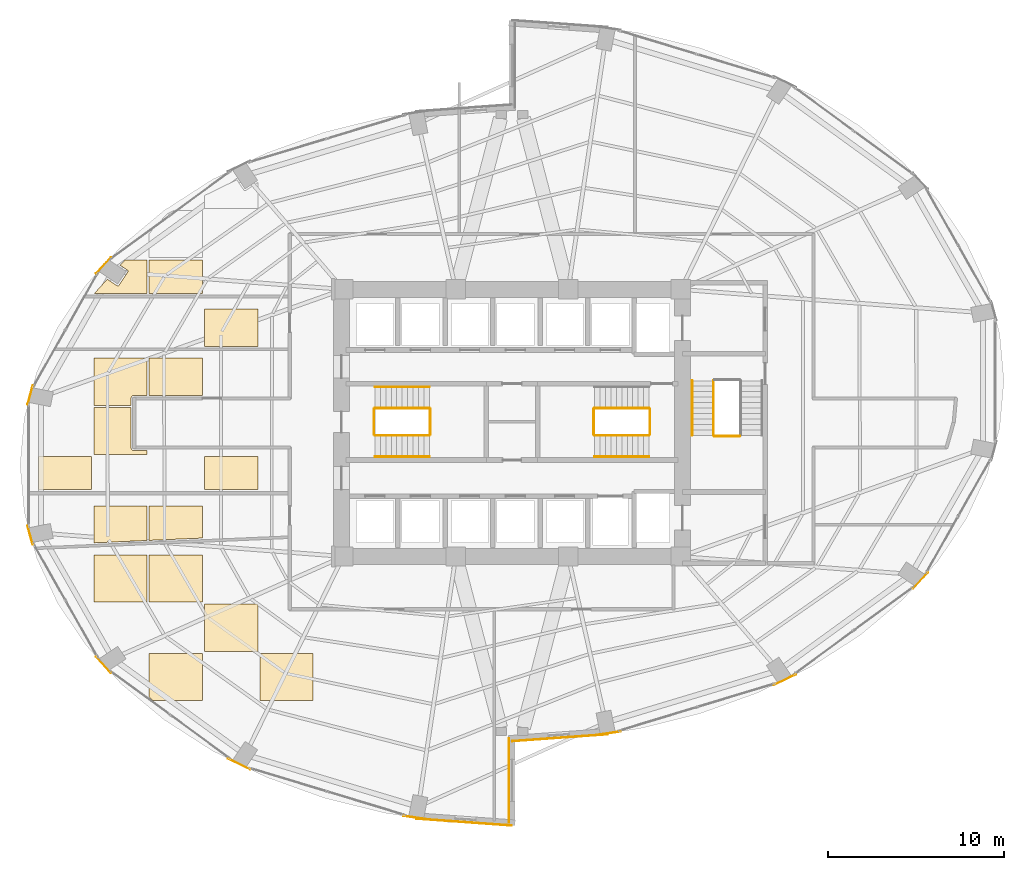
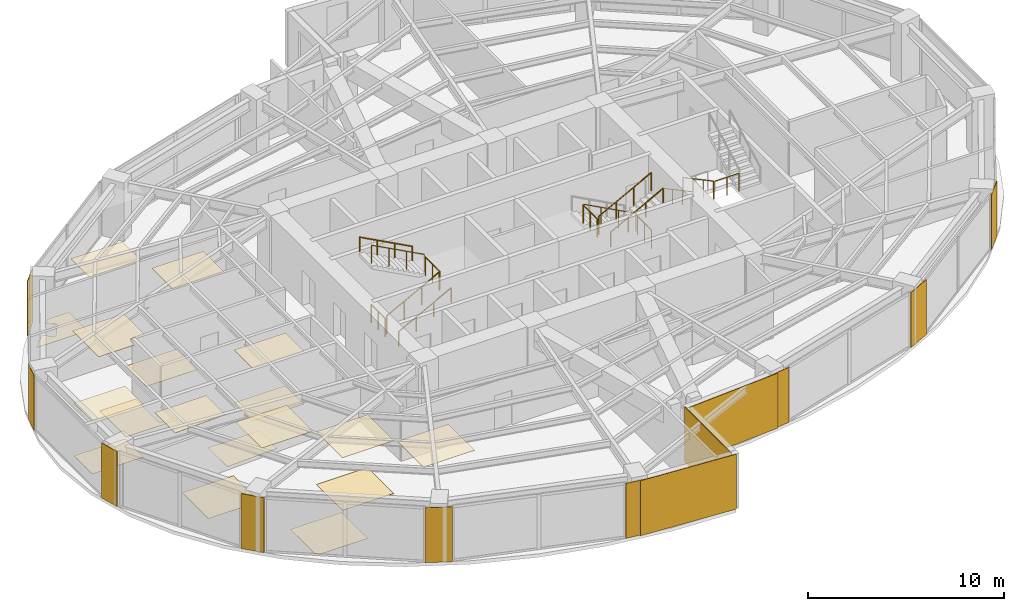
# One storey, part 23 of 24: 30 coverings, 14 railings.
"""IFC4 building model written with IfcOpenShell, lengths in metres."""

from ifc_helpers import new_model, si_unit, direction, frame, origin, origin_2d, place, context, subcontext, project, spatial, polyline, rectangle, circle, outline, extrude, material, layer, layer_set, type_object, element, save


model = new_model("IFC4")

# Units and contexts
model_context = context("Model", 3, precision=1e-05, world=origin(), true_north=direction((0.0, 1.0)))
body_context = subcontext(model_context, "Body", "Model", "MODEL_VIEW")
ifc_project = project(units=[si_unit("LENGTHUNIT", "METRE"), si_unit("AREAUNIT", "SQUARE_METRE"), si_unit("VOLUMEUNIT", "CUBIC_METRE"), si_unit("PLANEANGLEUNIT", "RADIAN"), si_unit("MASSUNIT", "GRAM", prefix="KILO")], contexts=[model_context])

# Site, building, storey
site_placement = place(None, origin())
site = spatial("IfcSite", under=ifc_project, at=site_placement, CompositionType="ELEMENT")
building_placement = place(site_placement, origin())
building = spatial("IfcBuilding", under=site, at=building_placement, Name="Lazwardi Medical Tower", CompositionType="ELEMENT")
storey_placement = place(building_placement, frame((0.0, 0.0, 36.14404296875)))
storey = spatial("IfcBuildingStorey", under=building, at=storey_placement, Name="L08", CompositionType="ELEMENT", Elevation=36.14404296875)

# Coverings
ifc_material_1 = material(Name="Anodised bronze aluminium cassette cladding", Category="aluminium")
ifc_layer_1 = layer(ifc_material_1, 0.030029296875)
ifc_layer_set_1 = layer_set([ifc_layer_1], Name="Anodised bronze aluminium cassette cladding")
covering_type_1 = type_object("IfcCoveringType", Name="COV-CLD-BRZ", PredefinedType="CLADDING", material=ifc_layer_set_1)
covering_1_placement = place(storey_placement, frame((41.454345703125, 10.33251953125, 0.0), z_axis=(0.0, 0.0, 1.0), x_axis=(0.98957259946, 0.144034962415, 0.0)))
element("IfcCovering", 1, at=covering_1_placement, inside=storey, type_object=covering_type_1, Name="L08 Mega-column bronze cassette cover M01", PredefinedType="CLADDING", context=body_context, shape_type="SweptSolid", body=[
    extrude(rectangle(XDim=1.49951171875, YDim=0.030029296875, at=origin_2d()), origin(), (0.0, 0.0, 1.0), 3.427978515625),
])
covering_2_placement = place(storey_placement, frame((51.532470703125, 13.3876953125, 0.0), z_axis=(0.0, 0.0, 1.0), x_axis=(0.898334492373, 0.439312121178, 0.0)))
element("IfcCovering", 2, at=covering_2_placement, inside=storey, type_object=covering_type_1, Name="L08 Mega-column bronze cassette cover M02", PredefinedType="CLADDING", context=body_context, shape_type="SweptSolid", body=[
    extrude(rectangle(XDim=1.400390625, YDim=0.030029296875, at=origin_2d()), origin(), (0.0, 0.0, 1.0), 3.427978515625),
])
for number, where, z_axis, x_axis, name in (
    (3, (59.24609375, 19.03271484375, 0.0), (0.0, 0.0, 1.0), (0.674252120961, 0.738501237223, 0.0), "L08 Mega-column bronze cassette cover M03"),
    (4, (12.75390625, 36.96728515625, 0.0), (0.0, 0.0, 1.0), (-0.674252120961, -0.738501237223, 0.0), "L08 Mega-column bronze cassette cover M11"),
):
    element("IfcCovering", number, at=place(storey_placement, frame(where, z_axis=z_axis, x_axis=x_axis)), inside=storey, type_object=covering_type_1, Name=name, PredefinedType="CLADDING", context=body_context, shape_type="SweptSolid", body=[
        extrude(rectangle(XDim=1.24658203125, YDim=0.030029296875, at=origin_2d()), origin(), (0.0, 0.0, 1.0), 3.427978515625),
    ])
for number, where, z_axis, x_axis, name in (
    (5, (8.579345703125, 29.591796875, 0.0), (0.0, 0.0, 1.0), (-0.262283496593, -0.964990863902, 0.0), "L08 Mega-column bronze cassette cover M12"),
    (6, (8.579345703125, 21.6083984375, 0.0), (0.0, 0.0, 1.0), (0.262283496593, -0.964990863902, 0.0), "L08 Mega-column bronze cassette cover M13"),
):
    element("IfcCovering", number, at=place(storey_placement, frame(where, z_axis=z_axis, x_axis=x_axis)), inside=storey, type_object=covering_type_1, Name=name, PredefinedType="CLADDING", context=body_context, shape_type="SweptSolid", body=[
        extrude(rectangle(XDim=1.12548828125, YDim=0.030029296875, at=origin_2d()), origin(), (0.0, 0.0, 1.0), 3.427978515625),
    ])
covering_3_placement = place(storey_placement, frame((12.75390625, 14.232666015625, 0.0), z_axis=(0.0, 0.0, 1.0), x_axis=(0.674252120961, -0.738501237223, 0.0)))
element("IfcCovering", 7, at=covering_3_placement, inside=storey, type_object=covering_type_1, Name="L08 Mega-column bronze cassette cover M14", PredefinedType="CLADDING", context=body_context, shape_type="SweptSolid", body=[
    extrude(rectangle(XDim=1.24658203125, YDim=0.030029296875, at=origin_2d()), origin(), (0.0, 0.0, 1.0), 3.427978515625),
])
covering_4_placement = place(storey_placement, frame((20.467529296875, 8.587646484375, 0.0), z_axis=(0.0, 0.0, 1.0), x_axis=(0.898334492373, -0.439312121178, 0.0)))
element("IfcCovering", 8, at=covering_4_placement, inside=storey, type_object=covering_type_1, Name="L08 Mega-column bronze cassette cover M15", PredefinedType="CLADDING", context=body_context, shape_type="SweptSolid", body=[
    extrude(rectangle(XDim=1.400390625, YDim=0.030029296875, at=origin_2d()), origin(), (0.0, 0.0, 1.0), 3.427978515625),
])
covering_5_placement = place(storey_placement, frame((30.545654296875, 5.53271484375, 0.0), z_axis=(0.0, 0.0, 1.0), x_axis=(0.98957259946, -0.144034962415, 0.0)))
element("IfcCovering", 9, at=covering_5_placement, inside=storey, type_object=covering_type_1, Name="L08 Mega-column bronze cassette cover M16", PredefinedType="CLADDING", context=body_context, shape_type="SweptSolid", body=[
    extrude(rectangle(XDim=1.49951171875, YDim=0.030029296875, at=origin_2d()), origin(), (0.0, 0.0, 1.0), 3.427978515625),
])
ifc_material_2 = material(Name="Turquoise glazed ceramic tilework cladding", Category="masonry")
ifc_layer_2 = layer(ifc_material_2, 0.034912109375)
ifc_layer_set_2 = layer_set([ifc_layer_2], Name="Turquoise glazed ceramic tilework cladding")
covering_type_2 = type_object("IfcCoveringType", Name="COV-CLD-TRQ", PredefinedType="CLADDING", material=ifc_layer_set_2)
covering_6_placement = place(storey_placement, frame((38.728271484375, 10.080322265625, 0.0), z_axis=(0.0, 0.0, 1.0), x_axis=(0.997421404513, 0.071767275412, 0.0)))
element("IfcCovering", 10, at=covering_6_placement, inside=storey, type_object=covering_type_2, Name="L08 Turquoise glazed ceramic tilework cladding", PredefinedType="CLADDING", context=body_context, shape_type="SweptSolid", body=[
    extrude(rectangle(XDim=5.4453125, YDim=0.034912109375, at=origin_2d()), origin(), (0.0, 0.0, 1.0), 3.427978515625),
])
covering_7_placement = place(storey_placement, frame((33.271484375, 5.280517578125, 0.0), z_axis=(0.0, 0.0, 1.0), x_axis=(0.997420903458, -0.071774238726, 0.0)))
element("IfcCovering", 11, at=covering_7_placement, inside=storey, type_object=covering_type_2, Name="L08 Turquoise glazed ceramic tilework cladding", PredefinedType="CLADDING", context=body_context, shape_type="SweptSolid", body=[
    extrude(rectangle(XDim=5.44482421875, YDim=0.034912109375, at=origin_2d()), origin(), (0.0, 0.0, 1.0), 3.427978515625),
])
covering_8_placement = place(storey_placement, frame((35.824462890625, 7.659912109375, 0.0), z_axis=(0.0, 0.0, 1.0), x_axis=(0.0, 1.0, 0.0)))
element("IfcCovering", 12, at=covering_8_placement, inside=storey, type_object=covering_type_2, Name="L08 Turquoise glazed ceramic tilework iwan panel", PredefinedType="CLADDING", context=body_context, shape_type="SweptSolid", body=[
    extrude(rectangle(XDim=4.800048828125, YDim=0.034912109375, at=origin_2d()), origin(), (0.0, 0.0, 1.0), 3.427978515625),
])
ifc_material_3 = material(Name="Acoustic mineral fibre tile")
ifc_layer_3 = layer(ifc_material_3, 0.02490234375)
ifc_layer_set_3 = layer_set([ifc_layer_3], Name="Acoustic mineral fibre tile")
covering_type_3 = type_object("IfcCoveringType", Name="COV-CLG-01", PredefinedType="CEILING", material=ifc_layer_set_3)
covering_9_placement = place(storey_placement, frame((0.0, 0.0, 3.282958984375)))
element("IfcCovering", 13, at=covering_9_placement, inside=storey, type_object=covering_type_3, Name="L08 Clinical Acoustic Ceiling 1", PredefinedType="CEILING", context=body_context, shape_type="SweptSolid", body=[
    extrude(outline(polyline([(9.052978515625, 24.199951171875), (12.0830078125, 24.199951171875), (12.0830078125, 26.08251953125), (9.052978515625, 26.08251953125), (9.052978515625, 24.199951171875)])), origin(), (0.0, 0.0, 1.0), 0.02490234375),
])
covering_10_placement = place(storey_placement, frame((0.0, 0.0, 3.282958984375)))
element("IfcCovering", 14, at=covering_10_placement, inside=storey, type_object=covering_type_3, Name="L08 Clinical Acoustic Ceiling 2", PredefinedType="CEILING", context=body_context, shape_type="SweptSolid", body=[
    extrude(outline(polyline([(12.202880859375, 21.177978515625), (15.23291015625, 21.310546875), (15.23291015625, 23.282470703125), (12.202880859375, 23.282470703125), (12.202880859375, 21.177978515625)])), origin(), (0.0, 0.0, 1.0), 0.02490234375),
])
covering_11_placement = place(storey_placement, frame((0.0, 0.0, 3.282958984375)))
element("IfcCovering", 15, at=covering_11_placement, inside=storey, type_object=covering_type_3, Name="L08 Clinical Acoustic Ceiling 3", PredefinedType="CEILING", context=body_context, shape_type="SweptSolid", body=[
    extrude(outline(polyline([(14.324951171875, 29.00244140625), (14.324951171875, 29.39990234375), (14.3251953125, 29.404296875), (14.32568359375, 29.41357421875), (14.326416015625, 29.42041015625), (14.32763671875, 29.4296875), (14.3291015625, 29.43798828125), (14.33154296875, 29.447265625), (14.33349609375, 29.4541015625), (14.336669921875, 29.462890625), (14.340087890625, 29.470703125), (14.343994140625, 29.479248046875), (14.34765625, 29.486083984375), (14.352294921875, 29.493896484375), (14.35693359375, 29.500732421875), (14.362548828125, 29.50830078125), (14.3671875, 29.513916015625), (14.373291015625, 29.520751953125), (14.37939453125, 29.526611328125), (14.38623046875, 29.532958984375), (14.391845703125, 29.53759765625), (14.3994140625, 29.543212890625), (14.406005859375, 29.547607421875), (14.4140625, 29.552490234375), (14.4208984375, 29.555908203125), (14.42919921875, 29.56005859375), (14.43701171875, 29.563232421875), (14.44580078125, 29.56640625), (14.452880859375, 29.568603515625), (14.4619140625, 29.57080078125), (14.47021484375, 29.572509765625), (14.4794921875, 29.57373046875), (14.486328125, 29.574462890625), (14.49560546875, 29.574951171875), (14.5, 29.574951171875), (15.23291015625, 29.574951171875), (15.23291015625, 31.6826171875), (12.202880859375, 31.6826171875), (12.202880859375, 29.00244140625), (14.324951171875, 29.00244140625)])), origin(), (0.0, 0.0, 1.0), 0.02490234375),
])
covering_12_placement = place(storey_placement, frame((0.0, 0.0, 3.282958984375)))
element("IfcCovering", 16, at=covering_12_placement, inside=storey, type_object=covering_type_3, Name="L08 Clinical Acoustic Ceiling 4", PredefinedType="CEILING", context=body_context, shape_type="SweptSolid", body=[
    extrude(outline(polyline([(18.3828125, 17.802490234375), (18.3828125, 20.482421875), (15.352783203125, 20.482421875), (15.352783203125, 17.802490234375), (18.3828125, 17.802490234375)])), origin(), (0.0, 0.0, 1.0), 0.02490234375),
])
covering_13_placement = place(storey_placement, frame((0.0, 0.0, 3.282958984375)))
element("IfcCovering", 17, at=covering_13_placement, inside=storey, type_object=covering_type_3, Name="L08 Clinical Acoustic Ceiling 5", PredefinedType="CEILING", context=body_context, shape_type="SweptSolid", body=[
    extrude(outline(polyline([(15.352783203125, 35.364990234375), (18.3828125, 35.364990234375), (18.3828125, 37.282470703125), (15.352783203125, 37.282470703125), (15.352783203125, 35.364990234375)])), origin(), (0.0, 0.0, 1.0), 0.02490234375),
])
covering_14_placement = place(storey_placement, frame((0.0, 0.0, 3.282958984375)))
element("IfcCovering", 18, at=covering_14_placement, inside=storey, type_object=covering_type_3, Name="L08 Clinical Acoustic Ceiling 6", PredefinedType="CEILING", context=body_context, shape_type="SweptSolid", body=[
    extrude(outline(polyline([(21.532958984375, 15.00244140625), (21.532958984375, 17.6826171875), (18.5029296875, 17.6826171875), (18.5029296875, 15.00244140625), (21.532958984375, 15.00244140625)])), origin(), (0.0, 0.0, 1.0), 0.02490234375),
])
covering_15_placement = place(storey_placement, frame((0.0, 0.0, 3.282958984375)))
element("IfcCovering", 19, at=covering_15_placement, inside=storey, type_object=covering_type_3, Name="L08 Clinical Acoustic Ceiling 7", PredefinedType="CEILING", context=body_context, shape_type="SweptSolid", body=[
    extrude(outline(polyline([(18.5029296875, 24.199951171875), (21.532958984375, 24.199951171875), (21.532958984375, 26.08251953125), (18.5029296875, 26.08251953125), (18.5029296875, 24.199951171875)])), origin(), (0.0, 0.0, 1.0), 0.02490234375),
])
covering_16_placement = place(storey_placement, frame((0.0, 0.0, 3.282958984375)))
element("IfcCovering", 20, at=covering_16_placement, inside=storey, type_object=covering_type_3, Name="L08 Clinical Acoustic Ceiling 8", PredefinedType="CEILING", context=body_context, shape_type="SweptSolid", body=[
    extrude(outline(polyline([(18.5029296875, 32.364990234375), (21.532958984375, 32.364990234375), (21.532958984375, 34.482421875), (18.5029296875, 34.482421875), (18.5029296875, 32.364990234375)])), origin(), (0.0, 0.0, 1.0), 0.02490234375),
])
covering_17_placement = place(storey_placement, frame((0.0, 0.0, 3.282958984375)))
element("IfcCovering", 21, at=covering_17_placement, inside=storey, type_object=covering_type_3, Name="L08 Clinical Acoustic Ceiling 10", PredefinedType="CEILING", context=body_context, shape_type="SweptSolid", body=[
    extrude(outline(polyline([(24.682861328125, 12.202392578125), (24.682861328125, 14.882568359375), (21.65283203125, 14.882568359375), (21.65283203125, 12.202392578125), (24.682861328125, 12.202392578125)])), origin(), (0.0, 0.0, 1.0), 0.02490234375),
])
ifc_material_4 = material(Name="Anti-static hospital vinyl sheet flooring")
ifc_layer_4 = layer(ifc_material_4, 0.014892578125)
ifc_layer_set_4 = layer_set([ifc_layer_4], Name="Anti-static hospital vinyl sheet flooring")
covering_type_4 = type_object("IfcCoveringType", Name="COV-FLR-01", PredefinedType="FLOORING", material=ifc_layer_set_4)
covering_18_placement = place(storey_placement, origin())
element("IfcCovering", 22, at=covering_18_placement, inside=storey, type_object=covering_type_4, Name="L08 Clinical Vinyl Flooring 1", PredefinedType="FLOORING", context=body_context, shape_type="SweptSolid", body=[
    extrude(outline(polyline([(9.052978515625, 24.199951171875), (12.0830078125, 24.199951171875), (12.0830078125, 26.08251953125), (9.052978515625, 26.08251953125), (9.052978515625, 24.199951171875)])), origin(), (0.0, 0.0, 1.0), 0.014892578125),
])
covering_19_placement = place(storey_placement, origin())
element("IfcCovering", 23, at=covering_19_placement, inside=storey, type_object=covering_type_4, Name="L08 Clinical Vinyl Flooring 2", PredefinedType="FLOORING", context=body_context, shape_type="SweptSolid", body=[
    extrude(outline(polyline([(15.23291015625, 17.802490234375), (15.23291015625, 20.482421875), (12.202880859375, 20.482421875), (12.202880859375, 17.802490234375), (15.23291015625, 17.802490234375)])), origin(), (0.0, 0.0, 1.0), 0.014892578125),
])
covering_20_placement = place(storey_placement, origin())
element("IfcCovering", 24, at=covering_20_placement, inside=storey, type_object=covering_type_4, Name="L08 Clinical Vinyl Flooring 3", PredefinedType="FLOORING", context=body_context, shape_type="SweptSolid", body=[
    extrude(outline(polyline([(15.23291015625, 26.425048828125), (14.5, 26.425048828125), (14.49560546875, 26.425048828125), (14.486328125, 26.425537109375), (14.4794921875, 26.42626953125), (14.47021484375, 26.427490234375), (14.4619140625, 26.42919921875), (14.452880859375, 26.431396484375), (14.44580078125, 26.43359375), (14.43701171875, 26.436767578125), (14.42919921875, 26.43994140625), (14.4208984375, 26.444091796875), (14.4140625, 26.447509765625), (14.406005859375, 26.452392578125), (14.3994140625, 26.456787109375), (14.391845703125, 26.46240234375), (14.38623046875, 26.467041015625), (14.37939453125, 26.473388671875), (14.373291015625, 26.479248046875), (14.3671875, 26.486083984375), (14.362548828125, 26.49169921875), (14.35693359375, 26.499267578125), (14.352294921875, 26.506103515625), (14.34765625, 26.513916015625), (14.343994140625, 26.520751953125), (14.340087890625, 26.529296875), (14.336669921875, 26.537109375), (14.33349609375, 26.5458984375), (14.33154296875, 26.552734375), (14.3291015625, 26.56201171875), (14.32763671875, 26.5703125), (14.326416015625, 26.57958984375), (14.32568359375, 26.58642578125), (14.3251953125, 26.595703125), (14.324951171875, 26.60009765625), (14.324951171875, 28.882568359375), (12.202880859375, 28.882568359375), (12.202880859375, 26.202392578125), (15.23291015625, 26.202392578125), (15.23291015625, 26.425048828125)])), origin(), (0.0, 0.0, 1.0), 0.014892578125),
])
covering_21_placement = place(storey_placement, origin())
element("IfcCovering", 25, at=covering_21_placement, inside=storey, type_object=covering_type_4, Name="L08 Clinical Vinyl Flooring 4", PredefinedType="FLOORING", context=body_context, shape_type="SweptSolid", body=[
    extrude(outline(polyline([(13.9794921875, 37.282470703125), (13.69677734375, 36.97314453125), (14.11083984375, 36.696533203125), (14.1171875, 36.69189453125), (14.123046875, 36.6865234375), (14.128173828125, 36.6806640625), (14.1328125, 36.67431640625), (14.136962890625, 36.667724609375), (14.140380859375, 36.66064453125), (14.14306640625, 36.6533203125), (14.14501953125, 36.6455078125), (14.14599609375, 36.6376953125), (14.146484375, 36.6298828125), (14.14599609375, 36.622314453125), (14.14501953125, 36.614501953125), (14.14306640625, 36.606689453125), (14.140380859375, 36.599365234375), (14.136962890625, 36.59228515625), (14.1328125, 36.585693359375), (13.6328125, 35.83740234375), (13.628173828125, 35.830810546875), (13.623046875, 35.8251953125), (13.6171875, 35.81982421875), (13.61083984375, 35.815185546875), (13.60400390625, 35.81103515625), (13.596923828125, 35.807861328125), (13.589599609375, 35.80517578125), (13.58203125, 35.80322265625), (13.57421875, 35.802001953125), (13.56640625, 35.8017578125), (13.55859375, 35.802001953125), (13.55078125, 35.80322265625), (13.543212890625, 35.80517578125), (13.535888671875, 35.807861328125), (13.52880859375, 35.81103515625), (13.52197265625, 35.815185546875), (12.972900390625, 36.181884765625), (12.2255859375, 35.364990234375), (15.23291015625, 35.364990234375), (15.23291015625, 37.282470703125), (13.9794921875, 37.282470703125)])), origin(), (0.0, 0.0, 1.0), 0.014892578125),
])
covering_22_placement = place(storey_placement, origin())
element("IfcCovering", 26, at=covering_22_placement, inside=storey, type_object=covering_type_4, Name="L08 Clinical Vinyl Flooring 5", PredefinedType="FLOORING", context=body_context, shape_type="SweptSolid", body=[
    extrude(outline(polyline([(15.352783203125, 12.416259765625), (15.548583984375, 12.202392578125), (18.3828125, 12.202392578125), (18.3828125, 14.882568359375), (15.352783203125, 14.882568359375), (15.352783203125, 12.416259765625)])), origin(), (0.0, 0.0, 1.0), 0.014892578125),
])
covering_23_placement = place(storey_placement, origin())
element("IfcCovering", 27, at=covering_23_placement, inside=storey, type_object=covering_type_4, Name="L08 Clinical Vinyl Flooring 6", PredefinedType="FLOORING", context=body_context, shape_type="SweptSolid", body=[
    extrude(outline(polyline([(15.352783203125, 21.31591796875), (18.3828125, 21.448486328125), (18.3828125, 23.282470703125), (15.352783203125, 23.282470703125), (15.352783203125, 21.31591796875)])), origin(), (0.0, 0.0, 1.0), 0.014892578125),
])
covering_24_placement = place(storey_placement, origin())
element("IfcCovering", 28, at=covering_24_placement, inside=storey, type_object=covering_type_4, Name="L08 Clinical Vinyl Flooring 7", PredefinedType="FLOORING", context=body_context, shape_type="SweptSolid", body=[
    extrude(outline(polyline([(15.352783203125, 29.574951171875), (18.3828125, 29.574951171875), (18.3828125, 31.6826171875), (15.352783203125, 31.6826171875), (15.352783203125, 29.574951171875)])), origin(), (0.0, 0.0, 1.0), 0.014892578125),
])
covering_25_placement = place(storey_placement, origin())
element("IfcCovering", 29, at=covering_25_placement, inside=storey, type_object=covering_type_4, Name="L08 Clinical Vinyl Flooring 9", PredefinedType="FLOORING", context=body_context, shape_type="SweptSolid", body=[
    extrude(outline(polyline([(21.532958984375, 15.00244140625), (21.532958984375, 17.6826171875), (18.5029296875, 17.6826171875), (18.5029296875, 15.00244140625), (21.532958984375, 15.00244140625)])), origin(), (0.0, 0.0, 1.0), 0.014892578125),
])
covering_26_placement = place(storey_placement, origin())
element("IfcCovering", 30, at=covering_26_placement, inside=storey, type_object=covering_type_4, Name="L08 Clinical Vinyl Flooring 10", PredefinedType="FLOORING", context=body_context, shape_type="SweptSolid", body=[
    extrude(outline(polyline([(18.5029296875, 24.199951171875), (21.532958984375, 24.199951171875), (21.532958984375, 26.08251953125), (18.5029296875, 26.08251953125), (18.5029296875, 24.199951171875)])), origin(), (0.0, 0.0, 1.0), 0.014892578125),
])

# Railings
ifc_material_5 = material(Name="Stainless steel Grade 316", Category="steel")
railing_type_1 = type_object("IfcRailingType", Name="RLG-GRD-1150", PredefinedType="GUARDRAIL", material=ifc_material_5)
railing_1_placement = place(storey_placement, frame((28.199951171875, 27.2900390625, 0.165771484375)))
element("IfcRailing", 31, at=railing_1_placement, inside=storey, type_object=railing_type_1, Name="L08 ST1 stair guard 1", PredefinedType="GUARDRAIL", context=body_context, shape_type="SweptSolid", body=[
    extrude(circle(Radius=0.02392578125, at=origin_2d()), frame((0.0, 0.0, 1.1259765625), z_axis=(0.881783298633, 0.0, 0.471654761719), x_axis=(0.0, 1.0, 0.0)), (0.0, 0.0, 1.0), 3.515625),
    extrude(circle(Radius=0.02099609375, at=origin_2d()), origin(), (0.0, 0.0, 1.0), 1.099853515625),
    extrude(circle(Radius=0.02099609375, at=origin_2d()), frame((1.033447265625, 0.0, 0.552734375)), (0.0, 0.0, 1.0), 1.099853515625),
    extrude(circle(Radius=0.02099609375, at=origin_2d()), frame((2.066650390625, 0.0, 1.10546875)), (0.0, 0.0, 1.0), 1.099853515625),
    extrude(circle(Radius=0.02099609375, at=origin_2d()), frame((3.10009765625, 0.0, 1.658203125)), (0.0, 0.0, 1.0), 1.099853515625),
])
railing_2_placement = place(storey_placement, frame((31.35009765625, 27.340087890625, 1.823974609375)))
element("IfcRailing", 32, at=railing_2_placement, inside=storey, type_object=railing_type_1, Name="L08 ST1 stair guard 2", PredefinedType="GUARDRAIL", context=body_context, shape_type="SweptSolid", body=[
    extrude(circle(Radius=0.02392578125, at=origin_2d()), frame((0.0, 0.0, 1.1259765625), z_axis=(0.0, 1.0, 0.0), x_axis=(-1.0, 0.0, 0.0)), (0.0, 0.0, 1.0), 1.43994140625),
    extrude(circle(Radius=0.02099609375, at=origin_2d()), origin(), (0.0, 0.0, 1.0), 1.099853515625),
    extrude(circle(Radius=0.02099609375, at=origin_2d()), frame((0.0, 0.719970703125, 0.0)), (0.0, 0.0, 1.0), 1.099853515625),
    extrude(circle(Radius=0.02099609375, at=origin_2d()), frame((0.0, 1.43994140625, 0.0)), (0.0, 0.0, 1.0), 1.099853515625),
])
railing_3_placement = place(storey_placement, frame((31.300048828125, 28.830078125, 1.98974609375)))
element("IfcRailing", 33, at=railing_3_placement, inside=storey, type_object=railing_type_1, Name="L08 ST1 stair guard 3", PredefinedType="GUARDRAIL", context=body_context, shape_type="SweptSolid", body=[
    extrude(circle(Radius=0.02392578125, at=origin_2d()), frame((0.0, 0.0, 1.1259765625), z_axis=(-0.881783298633, 0.0, 0.471654761719), x_axis=(0.0, -1.0, 0.0)), (0.0, 0.0, 1.0), 3.515625),
    extrude(circle(Radius=0.02099609375, at=origin_2d()), origin(), (0.0, 0.0, 1.0), 1.099853515625),
    extrude(circle(Radius=0.02099609375, at=origin_2d()), frame((-1.033447265625, 0.0, 0.552734375)), (0.0, 0.0, 1.0), 1.099853515625),
    extrude(circle(Radius=0.02099609375, at=origin_2d()), frame((-2.066650390625, 0.0, 1.10546875)), (0.0, 0.0, 1.0), 1.099853515625),
    extrude(circle(Radius=0.02099609375, at=origin_2d()), frame((-3.10009765625, 0.0, 1.658203125)), (0.0, 0.0, 1.0), 1.099853515625),
])
railing_4_placement = place(storey_placement, frame((28.14990234375, 27.340087890625, 0.0)))
element("IfcRailing", 34, at=railing_4_placement, inside=storey, type_object=railing_type_1, Name="L08 ST1 stair guard 4", PredefinedType="GUARDRAIL", context=body_context, shape_type="SweptSolid", body=[
    extrude(circle(Radius=0.02392578125, at=origin_2d()), frame((0.0, 0.0, 1.1259765625), z_axis=(0.0, 1.0, 0.0), x_axis=(-1.0, 0.0, 0.0)), (0.0, 0.0, 1.0), 1.43994140625),
    extrude(circle(Radius=0.02099609375, at=origin_2d()), origin(), (0.0, 0.0, 1.0), 1.099853515625),
    extrude(circle(Radius=0.02099609375, at=origin_2d()), frame((0.0, 0.719970703125, 0.0)), (0.0, 0.0, 1.0), 1.099853515625),
    extrude(circle(Radius=0.02099609375, at=origin_2d()), frame((0.0, 1.43994140625, 0.0)), (0.0, 0.0, 1.0), 1.099853515625),
])
railing_5_placement = place(storey_placement, frame((43.800048828125, 28.830078125, 0.165771484375)))
element("IfcRailing", 35, at=railing_5_placement, inside=storey, type_object=railing_type_1, Name="L08 ST2 stair guard 1", PredefinedType="GUARDRAIL", context=body_context, shape_type="SweptSolid", body=[
    extrude(circle(Radius=0.02392578125, at=origin_2d()), frame((0.0, 0.0, 1.1259765625), z_axis=(-0.881783298633, 0.0, 0.471654761719), x_axis=(0.0, -1.0, 0.0)), (0.0, 0.0, 1.0), 3.515625),
    extrude(circle(Radius=0.02099609375, at=origin_2d()), origin(), (0.0, 0.0, 1.0), 1.099853515625),
    extrude(circle(Radius=0.02099609375, at=origin_2d()), frame((-1.033447265625, 0.0, 0.552734375)), (0.0, 0.0, 1.0), 1.099853515625),
    extrude(circle(Radius=0.02099609375, at=origin_2d()), frame((-2.066650390625, 0.0, 1.10546875)), (0.0, 0.0, 1.0), 1.099853515625),
    extrude(circle(Radius=0.02099609375, at=origin_2d()), frame((-3.10009765625, 0.0, 1.658203125)), (0.0, 0.0, 1.0), 1.099853515625),
])
railing_6_placement = place(storey_placement, frame((40.64990234375, 28.780029296875, 1.823974609375)))
element("IfcRailing", 36, at=railing_6_placement, inside=storey, type_object=railing_type_1, Name="L08 ST2 stair guard 2", PredefinedType="GUARDRAIL", context=body_context, shape_type="SweptSolid", body=[
    extrude(circle(Radius=0.02392578125, at=origin_2d()), frame((0.0, 0.0, 1.1259765625), z_axis=(0.0, -1.0, 0.0), x_axis=(1.0, 0.0, 0.0)), (0.0, 0.0, 1.0), 1.43994140625),
    extrude(circle(Radius=0.02099609375, at=origin_2d()), origin(), (0.0, 0.0, 1.0), 1.099853515625),
    extrude(circle(Radius=0.02099609375, at=origin_2d()), frame((0.0, -0.719970703125, 0.0)), (0.0, 0.0, 1.0), 1.099853515625),
    extrude(circle(Radius=0.02099609375, at=origin_2d()), frame((0.0, -1.43994140625, 0.0)), (0.0, 0.0, 1.0), 1.099853515625),
])
railing_7_placement = place(storey_placement, frame((40.699951171875, 27.2900390625, 1.98974609375)))
element("IfcRailing", 37, at=railing_7_placement, inside=storey, type_object=railing_type_1, Name="L08 ST2 stair guard 3", PredefinedType="GUARDRAIL", context=body_context, shape_type="SweptSolid", body=[
    extrude(circle(Radius=0.02392578125, at=origin_2d()), frame((0.0, 0.0, 1.1259765625), z_axis=(0.881783298633, 0.0, 0.471654761719), x_axis=(0.0, 1.0, 0.0)), (0.0, 0.0, 1.0), 3.515625),
    extrude(circle(Radius=0.02099609375, at=origin_2d()), origin(), (0.0, 0.0, 1.0), 1.099853515625),
    extrude(circle(Radius=0.02099609375, at=origin_2d()), frame((1.033447265625, 0.0, 0.552734375)), (0.0, 0.0, 1.0), 1.099853515625),
    extrude(circle(Radius=0.02099609375, at=origin_2d()), frame((2.066650390625, 0.0, 1.10546875)), (0.0, 0.0, 1.0), 1.099853515625),
    extrude(circle(Radius=0.02099609375, at=origin_2d()), frame((3.10009765625, 0.0, 1.658203125)), (0.0, 0.0, 1.0), 1.099853515625),
])
railing_8_placement = place(storey_placement, frame((43.85009765625, 28.780029296875, 0.0)))
element("IfcRailing", 38, at=railing_8_placement, inside=storey, type_object=railing_type_1, Name="L08 ST2 stair guard 4", PredefinedType="GUARDRAIL", context=body_context, shape_type="SweptSolid", body=[
    extrude(circle(Radius=0.02392578125, at=origin_2d()), frame((0.0, 0.0, 1.1259765625), z_axis=(0.0, -1.0, 0.0), x_axis=(1.0, 0.0, 0.0)), (0.0, 0.0, 1.0), 1.43994140625),
    extrude(circle(Radius=0.02099609375, at=origin_2d()), origin(), (0.0, 0.0, 1.0), 1.099853515625),
    extrude(circle(Radius=0.02099609375, at=origin_2d()), frame((0.0, -0.719970703125, 0.0)), (0.0, 0.0, 1.0), 1.099853515625),
    extrude(circle(Radius=0.02099609375, at=origin_2d()), frame((0.0, -1.43994140625, 0.0)), (0.0, 0.0, 1.0), 1.099853515625),
])
railing_9_placement = place(storey_placement, frame((47.469970703125, 30.39990234375, 0.165771484375)))
element("IfcRailing", 39, at=railing_9_placement, inside=storey, type_object=railing_type_1, Name="L08 ST3 stair guard 1", PredefinedType="GUARDRAIL", context=body_context, shape_type="SweptSolid", body=[
    extrude(circle(Radius=0.02392578125, at=origin_2d()), frame((0.0, 0.0, 1.1259765625), z_axis=(0.0, -0.881767849116, 0.471683644262), x_axis=(1.0, 0.0, 0.0)), (0.0, 0.0, 1.0), 3.515380859375),
    extrude(circle(Radius=0.02099609375, at=origin_2d()), origin(), (0.0, 0.0, 1.0), 1.099853515625),
    extrude(circle(Radius=0.02099609375, at=origin_2d()), frame((0.0, -1.033203125, 0.552734375)), (0.0, 0.0, 1.0), 1.099853515625),
    extrude(circle(Radius=0.02099609375, at=origin_2d()), frame((0.0, -2.066650390625, 1.10546875)), (0.0, 0.0, 1.0), 1.099853515625),
    extrude(circle(Radius=0.02099609375, at=origin_2d()), frame((0.0, -3.099853515625, 1.658203125)), (0.0, 0.0, 1.0), 1.099853515625),
])
railing_10_placement = place(storey_placement, frame((47.52001953125, 27.25, 1.823974609375)))
element("IfcRailing", 40, at=railing_10_placement, inside=storey, type_object=railing_type_1, Name="L08 ST3 stair guard 2", PredefinedType="GUARDRAIL", context=body_context, shape_type="SweptSolid", body=[
    extrude(circle(Radius=0.02392578125, at=origin_2d()), frame((0.0, 0.0, 1.1259765625), z_axis=(1.0, 0.0, 0.0), x_axis=(0.0, 1.0, 0.0)), (0.0, 0.0, 1.0), 1.43994140625),
    extrude(circle(Radius=0.02099609375, at=origin_2d()), origin(), (0.0, 0.0, 1.0), 1.099853515625),
    extrude(circle(Radius=0.02099609375, at=origin_2d()), frame((0.719970703125, 0.0, 0.0)), (0.0, 0.0, 1.0), 1.099853515625),
    extrude(circle(Radius=0.02099609375, at=origin_2d()), frame((1.43994140625, 0.0, 0.0)), (0.0, 0.0, 1.0), 1.099853515625),
])
railing_type_2 = type_object("IfcRailingType", Name="RLG-HND-920", PredefinedType="HANDRAIL", material=ifc_material_5)
railing_11_placement = place(storey_placement, frame((28.199951171875, 26.070068359375, 0.165771484375)))
element("IfcRailing", 41, at=railing_11_placement, inside=storey, type_object=railing_type_2, Name="L08 ST1 stair handrail 1", PredefinedType="HANDRAIL", context=body_context, shape_type="SweptSolid", body=[
    extrude(circle(Radius=0.02392578125, at=origin_2d()), frame((0.0, 0.0, 0.8857421875), z_axis=(0.881783298633, 0.0, 0.471654761719), x_axis=(0.0, 1.0, 0.0)), (0.0, 0.0, 1.0), 3.515625),
    extrude(circle(Radius=0.02099609375, at=origin_2d()), origin(), (0.0, 0.0, 1.0), 0.85986328125),
    extrude(circle(Radius=0.02099609375, at=origin_2d()), frame((1.033447265625, 0.0, 0.552734375)), (0.0, 0.0, 1.0), 0.85986328125),
    extrude(circle(Radius=0.02099609375, at=origin_2d()), frame((2.066650390625, 0.0, 1.10546875)), (0.0, 0.0, 1.0), 0.85986328125),
    extrude(circle(Radius=0.02099609375, at=origin_2d()), frame((3.10009765625, 0.0, 1.658203125)), (0.0, 0.0, 1.0), 0.85986328125),
])
railing_12_placement = place(storey_placement, frame((31.300048828125, 30.050048828125, 1.98974609375)))
element("IfcRailing", 42, at=railing_12_placement, inside=storey, type_object=railing_type_2, Name="L08 ST1 stair handrail 2", PredefinedType="HANDRAIL", context=body_context, shape_type="SweptSolid", body=[
    extrude(circle(Radius=0.02392578125, at=origin_2d()), frame((0.0, 0.0, 0.8857421875), z_axis=(-0.881783298633, 0.0, 0.471654761719), x_axis=(0.0, -1.0, 0.0)), (0.0, 0.0, 1.0), 3.515625),
    extrude(circle(Radius=0.02099609375, at=origin_2d()), origin(), (0.0, 0.0, 1.0), 0.85986328125),
    extrude(circle(Radius=0.02099609375, at=origin_2d()), frame((-1.033447265625, 0.0, 0.552734375)), (0.0, 0.0, 1.0), 0.85986328125),
    extrude(circle(Radius=0.02099609375, at=origin_2d()), frame((-2.066650390625, 0.0, 1.10546875)), (0.0, 0.0, 1.0), 0.85986328125),
    extrude(circle(Radius=0.02099609375, at=origin_2d()), frame((-3.10009765625, 0.0, 1.658203125)), (0.0, 0.0, 1.0), 0.85986328125),
])
railing_13_placement = place(storey_placement, frame((40.699951171875, 26.070068359375, 1.98974609375)))
element("IfcRailing", 43, at=railing_13_placement, inside=storey, type_object=railing_type_2, Name="L08 ST2 stair handrail 2", PredefinedType="HANDRAIL", context=body_context, shape_type="SweptSolid", body=[
    extrude(circle(Radius=0.02392578125, at=origin_2d()), frame((0.0, 0.0, 0.8857421875), z_axis=(0.881783298633, 0.0, 0.471654761719), x_axis=(0.0, 1.0, 0.0)), (0.0, 0.0, 1.0), 3.515625),
    extrude(circle(Radius=0.02099609375, at=origin_2d()), origin(), (0.0, 0.0, 1.0), 0.85986328125),
    extrude(circle(Radius=0.02099609375, at=origin_2d()), frame((1.033447265625, 0.0, 0.552734375)), (0.0, 0.0, 1.0), 0.85986328125),
    extrude(circle(Radius=0.02099609375, at=origin_2d()), frame((2.066650390625, 0.0, 1.10546875)), (0.0, 0.0, 1.0), 0.85986328125),
    extrude(circle(Radius=0.02099609375, at=origin_2d()), frame((3.10009765625, 0.0, 1.658203125)), (0.0, 0.0, 1.0), 0.85986328125),
])
railing_14_placement = place(storey_placement, frame((46.25, 30.39990234375, 0.165771484375)))
element("IfcRailing", 44, at=railing_14_placement, inside=storey, type_object=railing_type_2, Name="L08 ST3 stair handrail 1", PredefinedType="HANDRAIL", context=body_context, shape_type="SweptSolid", body=[
    extrude(circle(Radius=0.02392578125, at=origin_2d()), frame((0.0, 0.0, 0.8857421875), z_axis=(0.0, -0.881767849116, 0.471683644262), x_axis=(1.0, 0.0, 0.0)), (0.0, 0.0, 1.0), 3.515380859375),
    extrude(circle(Radius=0.02099609375, at=origin_2d()), origin(), (0.0, 0.0, 1.0), 0.85986328125),
    extrude(circle(Radius=0.02099609375, at=origin_2d()), frame((0.0, -1.033203125, 0.552734375)), (0.0, 0.0, 1.0), 0.85986328125),
    extrude(circle(Radius=0.02099609375, at=origin_2d()), frame((0.0, -2.066650390625, 1.10546875)), (0.0, 0.0, 1.0), 0.85986328125),
    extrude(circle(Radius=0.02099609375, at=origin_2d()), frame((0.0, -3.099853515625, 1.658203125)), (0.0, 0.0, 1.0), 0.85986328125),
])

save(model, "model.ifc")
